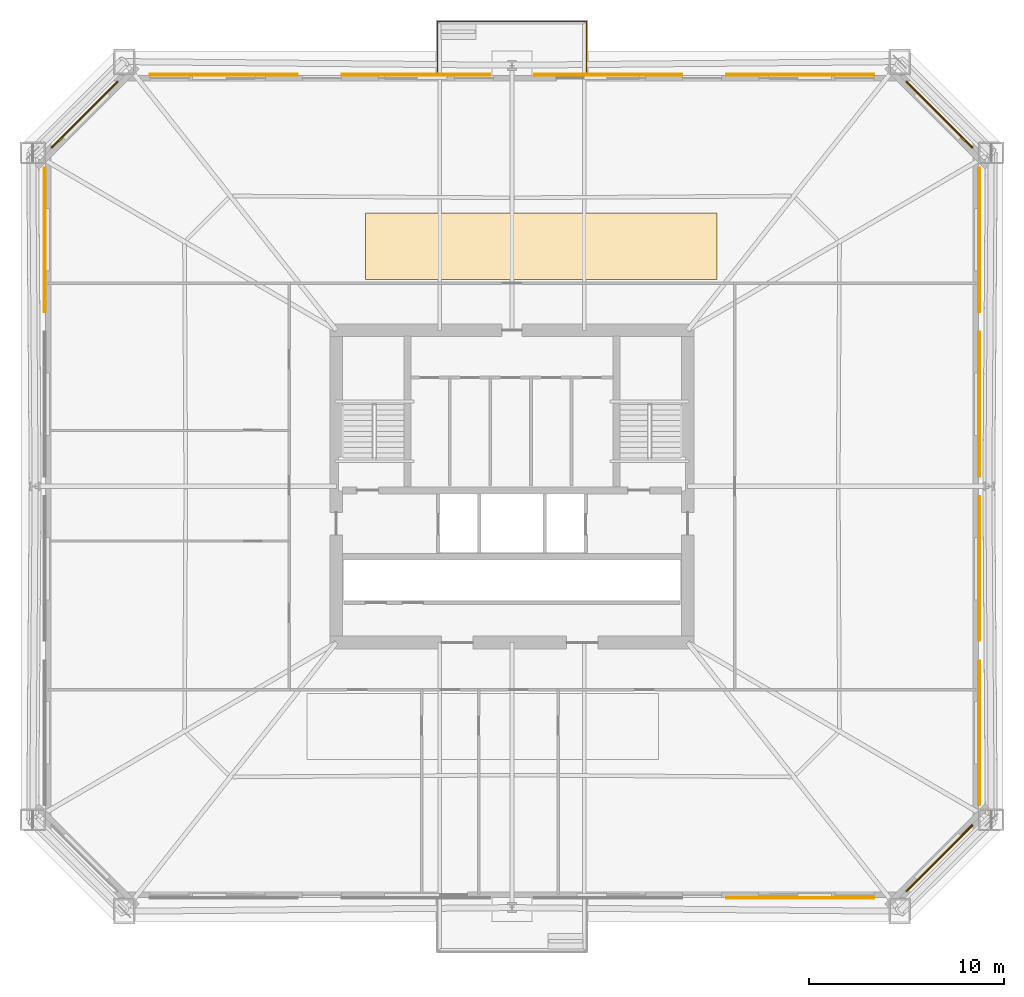
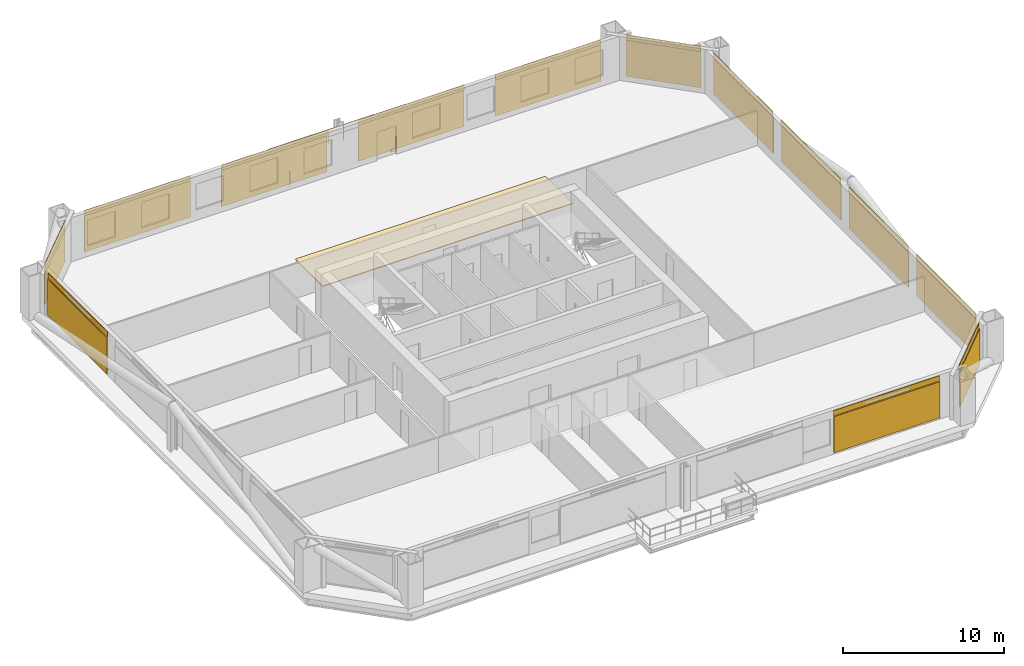
# One storey, part 7 of 7: 14 coverings, 13 shading devices, 1 railing.
"""IFC4 building model written with IfcOpenShell, lengths in metres."""

import ifcopenshell
import ifcopenshell.guid

model = None  # the IFC model being written
_history = None  # IfcOwnerHistory: only IFC2X3 demands one
_inside = {}  # id of a spatial element -> (the spatial element, [elements in it])
_under = {}  # id of a project, library or spatial element -> (it, [spatial elements below it])
_declared = {}  # id of a project -> (the project, [libraries it declares])
_typed = {}  # id of a type object -> (the type object, [elements of that type])
_made_of = {}  # id of a material, layer set ... -> (it, [elements and type objects made of it])


def new_model(schema):
    """Start an empty IFC model of exactly this schema.

    Asked for "IFC4X3", IfcOpenShell would pick the latest addendum, in which some entities
    have other attributes; the version numbers below select the first issue.
    IFC2X3 requires an IfcOwnerHistory on every rooted entity: one is made here for all.
    """
    global model, _history
    if schema == "IFC4X3":
        model = ifcopenshell.file(schema_version=(4, 3, 0, 0))
    else:
        model = ifcopenshell.file(schema=schema)
    _inside.clear()
    _under.clear()
    _declared.clear()
    _typed.clear()
    _made_of.clear()
    _history = None
    if model.schema == "IFC2X3":
        org = make("IfcOrganization", Name="unknown")
        user = make(
            "IfcPersonAndOrganization",
            ThePerson=make("IfcPerson", FamilyName="unknown"),
            TheOrganization=org,
        )
        app = make(
            "IfcApplication",
            ApplicationDeveloper=org,
            Version="unknown",
            ApplicationFullName="unknown",
            ApplicationIdentifier="unknown",
        )
        _history = make(
            "IfcOwnerHistory",
            OwningUser=user,
            OwningApplication=app,
            ChangeAction="ADDED",
            CreationDate=0,
        )
    return model


def make(cls, **values):
    """One entity of the class cls with the attributes given. An attribute that is None is left unset."""
    return model.create_entity(
        cls, **{name: value for name, value in values.items() if value is not None}
    )


def rooted(cls, **values):
    """An entity with a GlobalId (a new one), such as an element, a storey or a relation."""
    return make(cls, GlobalId=ifcopenshell.guid.new(), OwnerHistory=_history, **values)


def si_unit(unit_type, name, prefix=None):
    """IfcSIUnit, for example si_unit("LENGTHUNIT", "METRE", prefix="MILLI")."""
    return make("IfcSIUnit", UnitType=unit_type, Prefix=prefix, Name=name)


def assignment(units):
    """IfcUnitAssignment: the units of a project."""
    return None if units is None else make("IfcUnitAssignment", Units=units)


def point(xyz):
    """IfcCartesianPoint."""
    return None if xyz is None else make("IfcCartesianPoint", Coordinates=xyz)


def direction(xyz):
    """IfcDirection."""
    return None if xyz is None else make("IfcDirection", DirectionRatios=xyz)


def frame(location, z_axis=None, x_axis=None):
    """IfcAxis2Placement3D, a coordinate frame: its origin and axes. An axis left out is left unset."""
    return make(
        "IfcAxis2Placement3D",
        Location=point(location),
        Axis=direction(z_axis),
        RefDirection=direction(x_axis),
    )


def frame_2d(location, x_axis=None):
    """IfcAxis2Placement2D, a coordinate frame in the plane: its origin and x axis."""
    return make(
        "IfcAxis2Placement2D", Location=point(location), RefDirection=direction(x_axis)
    )


def origin():
    """The frame at (0, 0, 0) with its axes left unset."""
    return frame((0.0, 0.0, 0.0))


def origin_2d():
    """The frame at (0, 0) in the plane with its x axis left unset."""
    return frame_2d((0.0, 0.0))


def place(relative_to, where):
    """IfcLocalPlacement: puts the frame where relative to a parent placement (None: the world)."""
    return make(
        "IfcLocalPlacement", PlacementRelTo=relative_to, RelativePlacement=where
    )


def context(
    kind, dimensions, precision=None, world=None, true_north=None, identifier=None
):
    """IfcGeometricRepresentationContext, for example the 3D "Model" context."""
    return make(
        "IfcGeometricRepresentationContext",
        ContextIdentifier=identifier,
        ContextType=kind,
        CoordinateSpaceDimension=dimensions,
        Precision=precision,
        WorldCoordinateSystem=world,
        TrueNorth=true_north,
    )


def subcontext(parent, identifier, kind, view, scale=None):
    """IfcGeometricRepresentationSubContext, for example "Body" below "Model"."""
    return make(
        "IfcGeometricRepresentationSubContext",
        ContextIdentifier=identifier,
        ContextType=kind,
        ParentContext=parent,
        TargetScale=scale,
        TargetView=view,
    )


def project(units=None, contexts=None):
    """IfcProject with its units and contexts."""
    return rooted(
        "IfcProject",
        Name="project",
        RepresentationContexts=contexts,
        UnitsInContext=assignment(units),
    )


def spatial(cls, under=None, at=None, **own):
    """A site, building, storey or space (cls), placed at a placement, below another one or the project."""
    s = rooted(cls, ObjectPlacement=at, **own)
    if under is not None:
        _under.setdefault(under.id(), (under, []))[1].append(s)
    return s


def polyline(points):
    """IfcPolyline through the points."""
    return make("IfcPolyline", Points=[point(p) for p in points])


def profile(cls, at=None, kind="AREA", **sizes):
    """A parametric profile (cls). Its sizes go by their IFC names, for example OverallWidth=200.0."""
    return make(cls, ProfileType=kind, Position=at, **sizes)


def rectangle(**sizes):
    """IfcRectangleProfileDef."""
    return profile("IfcRectangleProfileDef", **sizes)


def circle(**sizes):
    """IfcCircleProfileDef."""
    return profile("IfcCircleProfileDef", **sizes)


def outline(outer, holes=None, kind="AREA"):
    """IfcArbitraryClosedProfileDef: a profile drawn as a closed curve; with holes, ...WithVoids."""
    if holes is None:
        return make("IfcArbitraryClosedProfileDef", ProfileType=kind, OuterCurve=outer)
    return make(
        "IfcArbitraryProfileDefWithVoids",
        ProfileType=kind,
        OuterCurve=outer,
        InnerCurves=holes,
    )


def extrude(swept, where, along, depth):
    """IfcExtrudedAreaSolid: the profile swept, set in the frame where, extruded along a direction by depth."""
    return make(
        "IfcExtrudedAreaSolid",
        SweptArea=swept,
        Position=where,
        ExtrudedDirection=direction(along),
        Depth=depth,
    )


def shape(context_of_items, identifier, shape_type, items):
    """IfcShapeRepresentation: the items that make up one representation, for example the "Body"."""
    return make(
        "IfcShapeRepresentation",
        ContextOfItems=context_of_items,
        RepresentationIdentifier=identifier,
        RepresentationType=shape_type,
        Items=items,
    )


def material(Name=None, Category=None):
    """IfcMaterial."""
    return make("IfcMaterial", Name=Name, Category=Category)


def layer(
    of_material, thickness, ventilated=None, Name=None, Category=None, Priority=None
):
    """IfcMaterialLayer: one layer of a wall or slab, of a material (None: an air gap)."""
    return make(
        "IfcMaterialLayer",
        Material=of_material,
        LayerThickness=thickness,
        IsVentilated=ventilated,
        Name=Name,
        Category=Category,
        Priority=Priority,
    )


def layer_set(layers, Name=None):
    """IfcMaterialLayerSet."""
    return make("IfcMaterialLayerSet", MaterialLayers=layers, LayerSetName=Name)


def made_of(thing, what):
    """Note that an element or type object is made of a material, layer set ...; save() writes the relation."""
    if what is not None:
        _made_of.setdefault(what.id(), (what, []))[1].append(thing)
    return thing


def type_object(cls, material=None, **own):
    """A type object (cls), such as IfcWallType, which elements share."""
    return made_of(rooted(cls, **own), material)


def element(
    cls,
    number,
    at=None,
    inside=None,
    cuts=None,
    type_object=None,
    material=None,
    context=None,
    identifier="Body",
    shape_type=None,
    held_by="IfcProductDefinitionShape",
    body=None,
    shapes=None,
    **own,
):
    """One element of the class cls, such as IfcWall. Its Tag is "e" and its number.

    at: its placement. inside: the storey or other place that contains it. cuts: it is an
    opening in that element (IfcRelVoidsElement). A single representation is given by context,
    identifier, shape_type and body (its items); several are given by shapes. held_by: the class
    of the entity that holds the representations. save() writes the other relations.
    """
    e = rooted(cls, Tag="e%d" % number, ObjectPlacement=at, **own)
    if body is not None:
        shapes = [shape(context, identifier, shape_type, body)]
    if shapes is not None:
        e.Representation = make(held_by, Representations=shapes)
    if inside is not None:
        _inside.setdefault(inside.id(), (inside, []))[1].append(e)
    if cuts is not None:
        rooted(
            "IfcRelVoidsElement", RelatingBuildingElement=cuts, RelatedOpeningElement=e
        )
    if type_object is not None:
        _typed.setdefault(type_object.id(), (type_object, []))[1].append(e)
    return made_of(e, material)


def aggregate(whole, parts):
    """IfcRelAggregates: a whole, such as a stair, and the parts it consists of."""
    return rooted("IfcRelAggregates", RelatingObject=whole, RelatedObjects=parts)


def save(model, path):
    """Write the relations noted so far, then the file.

    IfcRelAggregates (storeys below a building ...), IfcRelContainedInSpatialStructure (elements
    in a storey), IfcRelDefinesByType, IfcRelAssociatesMaterial and IfcRelDeclares: one each for
    every whole, place, type object, material and project.
    """
    for whole, parts in _under.values():
        aggregate(whole, parts)
    for where, things in _inside.values():
        rooted(
            "IfcRelContainedInSpatialStructure",
            RelatedElements=things,
            RelatingStructure=where,
        )
    for kind, things in _typed.values():
        rooted("IfcRelDefinesByType", RelatedObjects=things, RelatingType=kind)
    for what, things in _made_of.values():
        rooted("IfcRelAssociatesMaterial", RelatedObjects=things, RelatingMaterial=what)
    for by, libraries in _declared.values():
        rooted("IfcRelDeclares", RelatingContext=by, RelatedDefinitions=libraries)
    model.write(path)


model = new_model("IFC4")

# Units and contexts
model_context = context("Model", 3, precision=1e-05, world=origin(), true_north=direction((0.0, 1.0)))
body_context = subcontext(model_context, "Body", "Model", "MODEL_VIEW")
ifc_project = project(units=[si_unit("LENGTHUNIT", "METRE"), si_unit("AREAUNIT", "SQUARE_METRE"), si_unit("VOLUMEUNIT", "CUBIC_METRE"), si_unit("PLANEANGLEUNIT", "RADIAN"), si_unit("MASSUNIT", "GRAM", prefix="KILO")], contexts=[model_context])

# Site, building, storey
site_placement = place(None, origin())
site = spatial("IfcSite", under=ifc_project, at=site_placement, CompositionType="ELEMENT")
building_placement = place(site_placement, origin())
building = spatial("IfcBuilding", under=site, at=building_placement, Name="Caelvoria Tower", CompositionType="ELEMENT")
storey_placement = place(building_placement, frame((0.0, 0.0, 38.800048828125)))
storey = spatial("IfcBuildingStorey", under=building, at=storey_placement, Name="L09", CompositionType="ELEMENT", Elevation=38.800048828125)

# Railing
ifc_material_1 = material(Name="Bronze Anodised Aluminium and Stainless Steel", Category="steel")
railing_type = type_object("IfcRailingType", Name="Exterior Terrace and Balcony Guardrail 1150", PredefinedType="GUARDRAIL", material=ifc_material_1)
railing_placement = place(storey_placement, frame((42.179931640625, 53.06005859375, 0.0)))
element("IfcRailing", 1, at=railing_placement, inside=storey, type_object=railing_type, Name="Tree Balcony Guardrail TB-L09-N", PredefinedType="GUARDRAIL", context=body_context, shape_type="SweptSolid", body=[
    extrude(circle(Radius=0.02392578125, at=origin_2d()), frame((0.0, 0.0, 1.1259765625), z_axis=(0.0, 1.0, 0.0), x_axis=(-1.0, 0.0, 0.0)), (0.0, 0.0, 1.0), 2.760009765625),
    extrude(circle(Radius=0.02392578125, at=origin_2d()), frame((0.0, 0.0, 0.574951171875), z_axis=(0.0, 1.0, 0.0), x_axis=(-1.0, 0.0, 0.0)), (0.0, 0.0, 1.0), 2.760009765625),
    extrude(circle(Radius=0.02392578125, at=origin_2d()), frame((0.0, 2.760009765625, 1.1259765625), z_axis=(1.0, 0.0, 0.0), x_axis=(0.0, 1.0, 0.0)), (0.0, 0.0, 1.0), 7.64013671875),
    extrude(circle(Radius=0.02392578125, at=origin_2d()), frame((0.0, 2.760009765625, 0.574951171875), z_axis=(1.0, 0.0, 0.0), x_axis=(0.0, 1.0, 0.0)), (0.0, 0.0, 1.0), 7.64013671875),
    extrude(circle(Radius=0.02392578125, at=origin_2d()), frame((7.64013671875, 2.760009765625, 1.1259765625), z_axis=(0.0, -1.0, 0.0), x_axis=(1.0, 0.0, 0.0)), (0.0, 0.0, 1.0), 2.760009765625),
    extrude(circle(Radius=0.02392578125, at=origin_2d()), frame((7.64013671875, 2.760009765625, 0.574951171875), z_axis=(0.0, -1.0, 0.0), x_axis=(1.0, 0.0, 0.0)), (0.0, 0.0, 1.0), 2.760009765625),
    extrude(circle(Radius=0.02099609375, at=origin_2d()), origin(), (0.0, 0.0, 1.0), 1.101806640625),
    extrude(circle(Radius=0.02099609375, at=origin_2d()), frame((0.0, 0.919921875, 0.0)), (0.0, 0.0, 1.0), 1.101806640625),
    extrude(circle(Radius=0.02099609375, at=origin_2d()), frame((0.0, 1.840087890625, 0.0)), (0.0, 0.0, 1.0), 1.101806640625),
    extrude(circle(Radius=0.02099609375, at=origin_2d()), frame((0.0, 2.760009765625, 0.0)), (0.0, 0.0, 1.0), 1.101806640625),
    extrude(circle(Radius=0.02099609375, at=origin_2d()), frame((1.091552734375, 2.760009765625, 0.0)), (0.0, 0.0, 1.0), 1.101806640625),
    extrude(circle(Radius=0.02099609375, at=origin_2d()), frame((2.182861328125, 2.760009765625, 0.0)), (0.0, 0.0, 1.0), 1.101806640625),
    extrude(circle(Radius=0.02099609375, at=origin_2d()), frame((3.2744140625, 2.760009765625, 0.0)), (0.0, 0.0, 1.0), 1.101806640625),
    extrude(circle(Radius=0.02099609375, at=origin_2d()), frame((4.36572265625, 2.760009765625, 0.0)), (0.0, 0.0, 1.0), 1.101806640625),
    extrude(circle(Radius=0.02099609375, at=origin_2d()), frame((5.457275390625, 2.760009765625, 0.0)), (0.0, 0.0, 1.0), 1.101806640625),
    extrude(circle(Radius=0.02099609375, at=origin_2d()), frame((6.548583984375, 2.760009765625, 0.0)), (0.0, 0.0, 1.0), 1.101806640625),
    extrude(circle(Radius=0.02099609375, at=origin_2d()), frame((7.64013671875, 2.760009765625, 0.0)), (0.0, 0.0, 1.0), 1.101806640625),
    extrude(circle(Radius=0.02099609375, at=origin_2d()), frame((7.64013671875, 1.840087890625, 0.0)), (0.0, 0.0, 1.0), 1.101806640625),
    extrude(circle(Radius=0.02099609375, at=origin_2d()), frame((7.64013671875, 0.919921875, 0.0)), (0.0, 0.0, 1.0), 1.101806640625),
    extrude(circle(Radius=0.02099609375, at=origin_2d()), frame((7.64013671875, 0.0, 0.0)), (0.0, 0.0, 1.0), 1.101806640625),
])

# Coverings
ifc_material_2 = material(Name="Perforated Architectural Bronze Cladding Screen", Category="bronze")
ifc_layer_1 = layer(ifc_material_2, 0.0400390625, Name="Perforated Architectural Bronze Cladding Screen")
ifc_layer_set_1 = layer_set([ifc_layer_1], Name="Perforated Bronze Louvre Cladding Band 40 - Perforated Architectural Bronze Cladding Screen")
covering_type_1 = type_object("IfcCoveringType", Name="Perforated Bronze Louvre Cladding Band 40", PredefinedType="CLADDING", material=ifc_layer_set_1)
covering_1_placement = place(storey_placement, frame((60.767578125, 10.927978515625, 2.93994140625), z_axis=(0.0, 0.0, 1.0), x_axis=(1.0, 0.0, 0.0)))
element("IfcCovering", 2, at=covering_1_placement, inside=storey, type_object=covering_type_1, Name="Perforated Bronze Screen Band L09-E0-03", PredefinedType="CLADDING", context=body_context, shape_type="SweptSolid", body=[
    extrude(rectangle(XDim=7.60009765625, YDim=0.0400390625, at=origin_2d()), origin(), (0.0, 0.0, 1.0), 0.39990234375),
])
covering_2_placement = place(storey_placement, frame((67.881591796875, 12.96826171875, 2.93994140625), z_axis=(0.0, 0.0, 1.0), x_axis=(0.707106781187, 0.707106781187, 0.0)))
element("IfcCovering", 3, at=covering_2_placement, inside=storey, type_object=covering_type_1, Name="Perforated Bronze Screen Band L09-E1-00", PredefinedType="CLADDING", context=body_context, shape_type="SweptSolid", body=[
    extrude(rectangle(XDim=4.81201171875, YDim=0.0400390625, at=origin_2d()), origin(), (0.0, 0.0, 1.0), 0.39990234375),
])
for number, where, z_axis, x_axis, name in (
    (4, (69.922119140625, 19.3701171875, 2.93994140625), (0.0, 0.0, 1.0), (0.0, 1.0, 0.0), "Perforated Bronze Screen Band L09-E2-00"),
    (5, (69.922119140625, 27.7900390625, 2.93994140625), (0.0, 0.0, 1.0), (0.0, 1.0, 0.0), "Perforated Bronze Screen Band L09-E2-01"),
    (6, (69.922119140625, 36.2099609375, 2.93994140625), (0.0, 0.0, 1.0), (0.0, 1.0, 0.0), "Perforated Bronze Screen Band L09-E2-02"),
    (7, (69.922119140625, 44.6298828125, 2.93994140625), (0.0, 0.0, 1.0), (0.0, 1.0, 0.0), "Perforated Bronze Screen Band L09-E2-03"),
):
    element("IfcCovering", number, at=place(storey_placement, frame(where, z_axis=z_axis, x_axis=x_axis)), inside=storey, type_object=covering_type_1, Name=name, PredefinedType="CLADDING", context=body_context, shape_type="SweptSolid", body=[
        extrude(rectangle(XDim=7.40966796875, YDim=0.0400390625, at=origin_2d()), origin(), (0.0, 0.0, 1.0), 0.39990234375),
    ])
covering_3_placement = place(storey_placement, frame((67.881591796875, 51.03173828125, 2.93994140625), z_axis=(0.0, 0.0, 1.0), x_axis=(-0.707106781187, 0.707106781187, 0.0)))
element("IfcCovering", 8, at=covering_3_placement, inside=storey, type_object=covering_type_1, Name="Perforated Bronze Screen Band L09-E3-00", PredefinedType="CLADDING", context=body_context, shape_type="SweptSolid", body=[
    extrude(rectangle(XDim=4.81201171875, YDim=0.0400390625, at=origin_2d()), origin(), (0.0, 0.0, 1.0), 0.39990234375),
])
for number, where, z_axis, x_axis, name in (
    (9, (60.767578125, 53.072021484375, 2.93994140625), (0.0, 0.0, 1.0), (-1.0, 0.0, 0.0), "Perforated Bronze Screen Band L09-E4-00"),
    (10, (50.922607421875, 53.072021484375, 2.93994140625), (0.0, 0.0, 1.0), (-1.0, 0.0, 0.0), "Perforated Bronze Screen Band L09-E4-01"),
    (11, (41.077392578125, 53.072021484375, 2.93994140625), (0.0, 0.0, 1.0), (-1.0, 0.0, 0.0), "Perforated Bronze Screen Band L09-E4-02"),
    (12, (31.232421875, 53.072021484375, 2.93994140625), (0.0, 0.0, 1.0), (-1.0, 0.0, 0.0), "Perforated Bronze Screen Band L09-E4-03"),
):
    element("IfcCovering", number, at=place(storey_placement, frame(where, z_axis=z_axis, x_axis=x_axis)), inside=storey, type_object=covering_type_1, Name=name, PredefinedType="CLADDING", context=body_context, shape_type="SweptSolid", body=[
        extrude(rectangle(XDim=7.60009765625, YDim=0.0400390625, at=origin_2d()), origin(), (0.0, 0.0, 1.0), 0.39990234375),
    ])
covering_4_placement = place(storey_placement, frame((24.118408203125, 51.03173828125, 2.93994140625), z_axis=(0.0, 0.0, 1.0), x_axis=(-0.707106781187, -0.707106781187, 0.0)))
element("IfcCovering", 13, at=covering_4_placement, inside=storey, type_object=covering_type_1, Name="Perforated Bronze Screen Band L09-E5-00", PredefinedType="CLADDING", context=body_context, shape_type="SweptSolid", body=[
    extrude(rectangle(XDim=4.81201171875, YDim=0.0400390625, at=origin_2d()), origin(), (0.0, 0.0, 1.0), 0.39990234375),
])
covering_5_placement = place(storey_placement, frame((22.077880859375, 44.6298828125, 2.93994140625), z_axis=(0.0, 0.0, 1.0), x_axis=(0.0, -1.0, 0.0)))
element("IfcCovering", 14, at=covering_5_placement, inside=storey, type_object=covering_type_1, Name="Perforated Bronze Screen Band L09-E6-00", PredefinedType="CLADDING", context=body_context, shape_type="SweptSolid", body=[
    extrude(rectangle(XDim=7.40966796875, YDim=0.0400390625, at=origin_2d()), origin(), (0.0, 0.0, 1.0), 0.39990234375),
])

# Shading devices
ifc_material_3 = material(Name="Perforated Architectural Bronze Alloy Panel", Category="bronze")
ifc_layer_2 = layer(ifc_material_3, 0.044921875, Name="Perforated Architectural Bronze Alloy Panel")
ifc_layer_set_2 = layer_set([ifc_layer_2], Name="Perforated Bronze Solar Screen Panel SCREEN - Perforated Architectural Bronze Alloy Panel")
shading_device_type = type_object("IfcShadingDeviceType", Name="Perforated Bronze Solar Screen Panel SCREEN", PredefinedType="USERDEFINED", material=ifc_layer_set_2)
shading_device_1_placement = place(storey_placement, frame((60.767578125, 10.885009765625, 0.159912109375), z_axis=(0.0, 0.0, 1.0), x_axis=(1.0, 0.0, 0.0)))
element("IfcShadingDevice", 15, at=shading_device_1_placement, inside=storey, type_object=shading_device_type, Name="Perforated Bronze Solar Screen L09-E0-03", ObjectType="SCREEN", PredefinedType="USERDEFINED", context=body_context, shape_type="SweptSolid", body=[
    extrude(rectangle(XDim=7.60009765625, YDim=0.044921875, at=origin_2d()), origin(), (0.0, 0.0, 1.0), 2.75),
])
shading_device_2_placement = place(storey_placement, frame((67.912109375, 12.93798828125, 0.159912109375), z_axis=(0.0, 0.0, 1.0), x_axis=(0.707106781187, 0.707106781187, 0.0)))
element("IfcShadingDevice", 16, at=shading_device_2_placement, inside=storey, type_object=shading_device_type, Name="Perforated Bronze Solar Screen L09-E1-00", ObjectType="SCREEN", PredefinedType="USERDEFINED", context=body_context, shape_type="SweptSolid", body=[
    extrude(rectangle(XDim=4.81201171875, YDim=0.044921875, at=origin_2d()), origin(), (0.0, 0.0, 1.0), 2.75),
])
for number, where, z_axis, x_axis, name in (
    (17, (69.965087890625, 19.3701171875, 0.159912109375), (0.0, 0.0, 1.0), (0.0, 1.0, 0.0), "Perforated Bronze Solar Screen L09-E2-00"),
    (18, (69.965087890625, 27.7900390625, 0.159912109375), (0.0, 0.0, 1.0), (0.0, 1.0, 0.0), "Perforated Bronze Solar Screen L09-E2-01"),
    (19, (69.965087890625, 36.2099609375, 0.159912109375), (0.0, 0.0, 1.0), (0.0, 1.0, 0.0), "Perforated Bronze Solar Screen L09-E2-02"),
    (20, (69.965087890625, 44.6298828125, 0.159912109375), (0.0, 0.0, 1.0), (0.0, 1.0, 0.0), "Perforated Bronze Solar Screen L09-E2-03"),
):
    element("IfcShadingDevice", number, at=place(storey_placement, frame(where, z_axis=z_axis, x_axis=x_axis)), inside=storey, type_object=shading_device_type, Name=name, ObjectType="SCREEN", PredefinedType="USERDEFINED", context=body_context, shape_type="SweptSolid", body=[
        extrude(rectangle(XDim=7.40966796875, YDim=0.044921875, at=origin_2d()), origin(), (0.0, 0.0, 1.0), 2.75),
    ])
shading_device_3_placement = place(storey_placement, frame((67.912109375, 51.06201171875, 0.159912109375), z_axis=(0.0, 0.0, 1.0), x_axis=(-0.707106781187, 0.707106781187, 0.0)))
element("IfcShadingDevice", 21, at=shading_device_3_placement, inside=storey, type_object=shading_device_type, Name="Perforated Bronze Solar Screen L09-E3-00", ObjectType="SCREEN", PredefinedType="USERDEFINED", context=body_context, shape_type="SweptSolid", body=[
    extrude(rectangle(XDim=4.81201171875, YDim=0.044921875, at=origin_2d()), origin(), (0.0, 0.0, 1.0), 2.75),
])
for number, where, z_axis, x_axis, name in (
    (22, (60.767578125, 53.114990234375, 0.159912109375), (0.0, 0.0, 1.0), (-1.0, 0.0, 0.0), "Perforated Bronze Solar Screen L09-E4-00"),
    (23, (50.922607421875, 53.114990234375, 0.159912109375), (0.0, 0.0, 1.0), (-1.0, 0.0, 0.0), "Perforated Bronze Solar Screen L09-E4-01"),
    (24, (41.077392578125, 53.114990234375, 0.159912109375), (0.0, 0.0, 1.0), (-1.0, 0.0, 0.0), "Perforated Bronze Solar Screen L09-E4-02"),
    (25, (31.232421875, 53.114990234375, 0.159912109375), (0.0, 0.0, 1.0), (-1.0, 0.0, 0.0), "Perforated Bronze Solar Screen L09-E4-03"),
):
    element("IfcShadingDevice", number, at=place(storey_placement, frame(where, z_axis=z_axis, x_axis=x_axis)), inside=storey, type_object=shading_device_type, Name=name, ObjectType="SCREEN", PredefinedType="USERDEFINED", context=body_context, shape_type="SweptSolid", body=[
        extrude(rectangle(XDim=7.60009765625, YDim=0.044921875, at=origin_2d()), origin(), (0.0, 0.0, 1.0), 2.75),
    ])
shading_device_4_placement = place(storey_placement, frame((24.087890625, 51.06201171875, 0.159912109375), z_axis=(0.0, 0.0, 1.0), x_axis=(-0.707106781187, -0.707106781187, 0.0)))
element("IfcShadingDevice", 26, at=shading_device_4_placement, inside=storey, type_object=shading_device_type, Name="Perforated Bronze Solar Screen L09-E5-00", ObjectType="SCREEN", PredefinedType="USERDEFINED", context=body_context, shape_type="SweptSolid", body=[
    extrude(rectangle(XDim=4.81201171875, YDim=0.044921875, at=origin_2d()), origin(), (0.0, 0.0, 1.0), 2.75),
])
shading_device_5_placement = place(storey_placement, frame((22.034912109375, 44.6298828125, 0.159912109375), z_axis=(0.0, 0.0, 1.0), x_axis=(0.0, -1.0, 0.0)))
element("IfcShadingDevice", 27, at=shading_device_5_placement, inside=storey, type_object=shading_device_type, Name="Perforated Bronze Solar Screen L09-E6-00", ObjectType="SCREEN", PredefinedType="USERDEFINED", context=body_context, shape_type="SweptSolid", body=[
    extrude(rectangle(XDim=7.40966796875, YDim=0.044921875, at=origin_2d()), origin(), (0.0, 0.0, 1.0), 2.75),
])

# Covering
ifc_material_4 = material(Name="Calcium-Sulphate Raised Floor Tile", Category="gypsum")
ifc_layer_3 = layer(ifc_material_4, 0.06005859375, Name="Calcium-Sulphate Raised Floor Tile")
ifc_layer_set_3 = layer_set([ifc_layer_3], Name="Raised Access Office Floor System 120 - Calcium-Sulphate Raised Floor Tile")
covering_type_2 = type_object("IfcCoveringType", Name="Raised Access Office Floor System 120", PredefinedType="FLOORING", material=ifc_layer_set_3)
covering_6_placement = place(storey_placement, origin())
element("IfcCovering", 28, at=covering_6_placement, inside=storey, type_object=covering_type_2, Name="Raised Access Flooring L09", PredefinedType="FLOORING", context=body_context, shape_type="SweptSolid", body=[
    extrude(outline(polyline([(38.5, 42.60009765625), (56.5, 42.60009765625), (56.5, 46.0), (38.5, 46.0), (38.5, 42.60009765625)])), origin(), (0.0, 0.0, 1.0), 0.06005859375),
])

save(model, "model.ifc")
